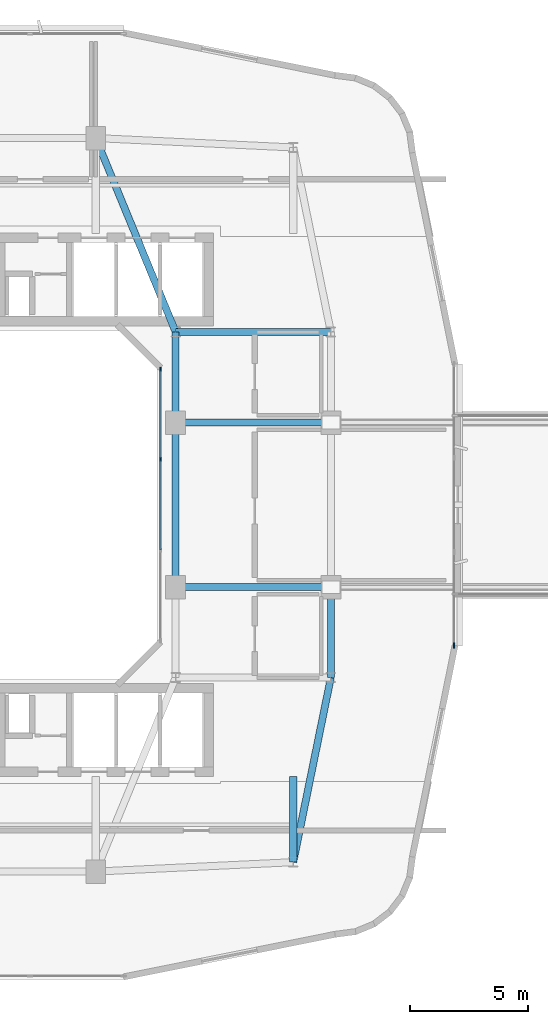
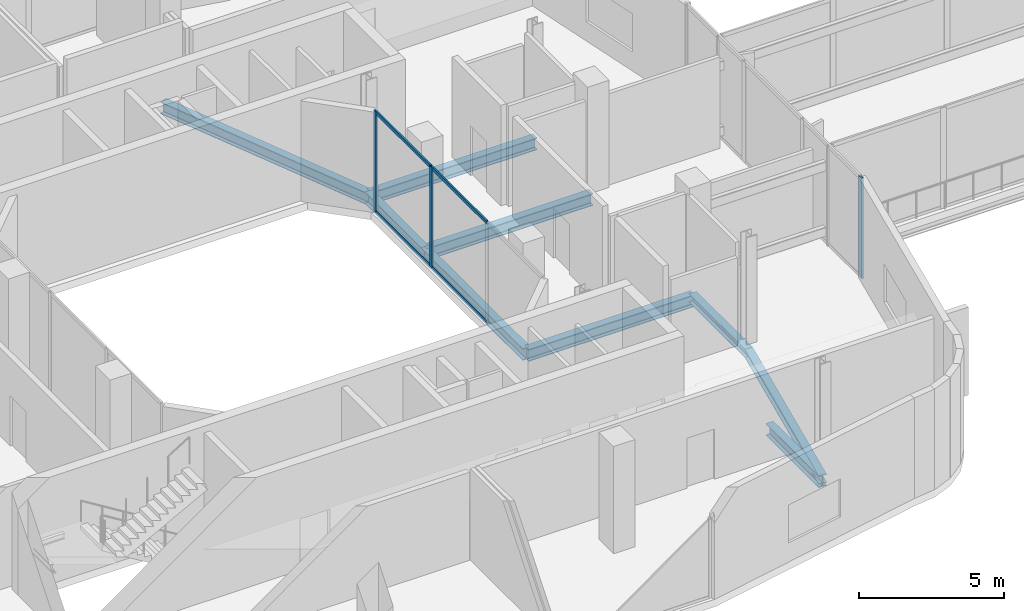
# One storey, part 5 of 24: 9 beams, 7 members, 2 elements without a shape of their own.
"""IFC4 building model written with IfcOpenShell, lengths in metres."""

from ifc_helpers import new_model, si_unit, derived_unit, direction, frame, origin, origin_2d, place, context, subcontext, project, spatial, rectangle, i_section, extrude, material, layer, layer_set, material_profile, profile_set, type_object, element, aggregate, save


model = new_model("IFC4")

# Units and contexts
model_context = context("Model", 3, precision=1e-05, world=origin(), true_north=direction((0.0, 1.0)))
body_context = subcontext(model_context, "Body", "Model", "MODEL_VIEW")
ifc_project = project(units=[si_unit("LENGTHUNIT", "METRE"), si_unit("AREAUNIT", "SQUARE_METRE"), si_unit("VOLUMEUNIT", "CUBIC_METRE"), si_unit("PLANEANGLEUNIT", "RADIAN"), si_unit("MASSUNIT", "GRAM", prefix="KILO"), derived_unit("THERMALTRANSMITTANCEUNIT", [(si_unit("POWERUNIT", "WATT"), 1), (si_unit("LENGTHUNIT", "METRE"), -2), (si_unit("THERMODYNAMICTEMPERATUREUNIT", "KELVIN"), -1)])], contexts=[model_context])

# Site, building, storey
site_placement = place(None, origin())
site = spatial("IfcSite", under=ifc_project, at=site_placement, CompositionType="ELEMENT")
building_placement = place(site_placement, origin())
building = spatial("IfcBuilding", under=site, at=building_placement, Name="Kivonza Crest Hotel", CompositionType="ELEMENT")
storey_placement = place(building_placement, frame((0.0, 0.0, 119.5)))
storey = spatial("IfcBuildingStorey", under=building, at=storey_placement, Name="L32", CompositionType="ELEMENT", Elevation=119.5)

# Beams
ifc_material_1 = material(Name="Steel S355", Category="steel")
ifc_material_profile_1 = material_profile(ifc_material_1, i_section(OverallWidth=0.300048828125, OverallDepth=0.360107421875, WebThickness=0.012451171875, FlangeThickness=0.0224609375, FilletRadius=0.027099609375, at=origin_2d()), Name="HEB 360")
ifc_profile_set_1 = profile_set([ifc_material_profile_1], Name="Steel S355")
beam_type_1 = type_object("IfcBeamType", Name="BM-HEB360", PredefinedType="SPANDREL", material=ifc_profile_set_1)
beam_1_placement = place(storey_placement, frame((34.199951171875, 9.800048828125, -0.5), z_axis=(0.199730733965, 0.979850822273, 0.0), x_axis=(-0.979850822273, 0.199730733965, 0.0)))
element("IfcBeam", 1, at=beam_1_placement, inside=storey, type_object=beam_type_1, Name="Tower T1 L32 perimeter spandrel SE-PSE", PredefinedType="SPANDREL", context=body_context, shape_type="SweptSolid", body=[
    extrude(i_section(OverallWidth=0.300048828125, OverallDepth=0.360107421875, WebThickness=0.012451171875, FlangeThickness=0.0224609375, FilletRadius=0.027099609375, at=origin_2d()), origin(), (0.0, 0.0, 1.0), 8.01123046875),
])
beam_2_placement = place(storey_placement, frame((35.800048828125, 17.64990234375, -0.5), z_axis=(0.0, 1.0, 0.0), x_axis=(-1.0, 0.0, 0.0)))
element("IfcBeam", 2, at=beam_2_placement, inside=storey, type_object=beam_type_1, Name="Tower T1 L32 perimeter spandrel PSE-E1", PredefinedType="SPANDREL", context=body_context, shape_type="SweptSolid", body=[
    extrude(i_section(OverallWidth=0.300048828125, OverallDepth=0.360107421875, WebThickness=0.012451171875, FlangeThickness=0.0224609375, FilletRadius=0.027099609375, at=origin_2d()), origin(), (0.0, 0.0, 1.0), 3.85009765625),
])
ifc_material_profile_2 = material_profile(ifc_material_1, i_section(OverallWidth=0.300048828125, OverallDepth=0.5, WebThickness=0.014404296875, FlangeThickness=0.028076171875, FilletRadius=0.027099609375, at=origin_2d()), Name="HEB 500")
ifc_profile_set_2 = profile_set([ifc_material_profile_2], Name="Steel S355")
beam_type_2 = type_object("IfcBeamType", Name="BM-HEB500", PredefinedType="BEAM", material=ifc_profile_set_2)
beam_3_placement = place(storey_placement, frame((25.800048828125, 40.60009765625, -0.570068359375), z_axis=(0.381022260404, -0.924565864109, 0.0), x_axis=(0.924565864109, 0.381022260404, 0.0)))
element("IfcBeam", 3, at=beam_3_placement, inside=storey, type_object=beam_type_2, Name="Tower T1 L32 primary girder N1-TNE", PredefinedType="BEAM", context=body_context, shape_type="SweptSolid", body=[
    extrude(i_section(OverallWidth=0.300048828125, OverallDepth=0.5, WebThickness=0.014404296875, FlangeThickness=0.028076171875, FilletRadius=0.027099609375, at=origin_2d()), origin(), (0.0, 0.0, 1.0), 8.923095703125),
])
beam_4_placement = place(storey_placement, frame((29.199951171875, 32.35009765625, -0.570068359375), z_axis=(1.0, 0.0, 0.0), x_axis=(0.0, 1.0, 0.0)))
element("IfcBeam", 4, at=beam_4_placement, inside=storey, type_object=beam_type_2, Name="Tower T1 L32 primary girder TNE-PNE", PredefinedType="BEAM", context=body_context, shape_type="SweptSolid", body=[
    extrude(i_section(OverallWidth=0.300048828125, OverallDepth=0.5, WebThickness=0.014404296875, FlangeThickness=0.028076171875, FilletRadius=0.027099609375, at=origin_2d()), origin(), (0.0, 0.0, 1.0), 6.60009765625),
])
beam_5_placement = place(storey_placement, frame((29.199951171875, 21.5, -0.570068359375), z_axis=(0.0, 1.0, 0.0), x_axis=(-1.0, 0.0, 0.0)))
element("IfcBeam", 5, at=beam_5_placement, inside=storey, type_object=beam_type_2, Name="Tower T1 L32 primary girder WR1-WR2", PredefinedType="BEAM", context=body_context, shape_type="SweptSolid", body=[
    extrude(i_section(OverallWidth=0.300048828125, OverallDepth=0.5, WebThickness=0.014404296875, FlangeThickness=0.028076171875, FilletRadius=0.027099609375, at=origin_2d()), origin(), (0.0, 0.0, 1.0), 7.0),
])
beam_6_placement = place(storey_placement, frame((29.199951171875, 28.5, -0.570068359375), z_axis=(0.0, 1.0, 0.0), x_axis=(-1.0, 0.0, 0.0)))
element("IfcBeam", 6, at=beam_6_placement, inside=storey, type_object=beam_type_2, Name="Tower T1 L32 primary girder WR2-TNE", PredefinedType="BEAM", context=body_context, shape_type="SweptSolid", body=[
    extrude(i_section(OverallWidth=0.300048828125, OverallDepth=0.5, WebThickness=0.014404296875, FlangeThickness=0.028076171875, FilletRadius=0.027099609375, at=origin_2d()), origin(), (0.0, 0.0, 1.0), 3.85009765625),
])
for number, where, z_axis, x_axis, name in (
    (7, (29.199951171875, 21.5, -0.570068359375), (1.0, 0.0, 0.0), (0.0, 1.0, 0.0), "Tower T1 L32 primary girder WR1-E1"),
    (8, (29.199951171875, 28.5, -0.570068359375), (1.0, 0.0, 0.0), (0.0, 1.0, 0.0), "Tower T1 L32 primary girder WR2-E2"),
):
    element("IfcBeam", number, at=place(storey_placement, frame(where, z_axis=z_axis, x_axis=x_axis)), inside=storey, type_object=beam_type_2, Name=name, PredefinedType="BEAM", context=body_context, shape_type="SweptSolid", body=[
        extrude(i_section(OverallWidth=0.300048828125, OverallDepth=0.5, WebThickness=0.014404296875, FlangeThickness=0.028076171875, FilletRadius=0.027099609375, at=origin_2d()), origin(), (0.0, 0.0, 1.0), 6.60009765625),
    ])
beam_7_placement = place(storey_placement, frame((34.199951171875, 9.800048828125, -0.570068359375), z_axis=(0.0, 1.0, 0.0), x_axis=(-1.0, 0.0, 0.0)))
element("IfcBeam", 9, at=beam_7_placement, inside=storey, type_object=beam_type_2, Name="Tower T1 L32 radial core girder RSE", PredefinedType="BEAM", context=body_context, shape_type="SweptSolid", body=[
    extrude(i_section(OverallWidth=0.300048828125, OverallDepth=0.5, WebThickness=0.014404296875, FlangeThickness=0.028076171875, FilletRadius=0.027099609375, at=origin_2d()), origin(), (0.0, 0.0, 1.0), 3.64990234375),
])

# Curtain wall, members
ifc_material_2 = material(Name="Anodised bronze aluminium and low-E double glazing", Category="aluminium")
ifc_layer_1 = layer(ifc_material_2, 0.159912109375)
ifc_layer_set_1 = layer_set([ifc_layer_1], Name="Anodised bronze aluminium and low-E double glazing")
curtain_wall_type_1 = type_object("IfcCurtainWallType", Name="CW-SYS-5", PredefinedType="NOTDEFINED", material=ifc_layer_set_1)
curtain_wall_1_placement = place(storey_placement, origin())
curtain_wall_1 = element("IfcCurtainWall", 10, at=curtain_wall_1_placement, inside=storey, type_object=curtain_wall_type_1, Name="L32 unitised curtain wall CW-WELL-T1-L32-3", PredefinedType="NOTDEFINED")
ifc_material_3 = material(Name="Anodised bronze aluminium", Category="aluminium")
ifc_material_profile_3 = material_profile(ifc_material_3, rectangle(XDim=0.06494140625, YDim=0.179931640625, at=origin_2d()), Name="CW-M 65x180")
ifc_profile_set_3 = profile_set([ifc_material_profile_3], Name="Anodised bronze aluminium")
member_type_1 = type_object("IfcMemberType", Name="CW-MUL-65x180", PredefinedType="MULLION", material=ifc_profile_set_3)
member_1_placement = place(storey_placement, frame((28.56005859375, 26.933349609375, 0.0), z_axis=(0.0, 0.0, 1.0), x_axis=(-1.0, 0.0, 0.0)))
member_1 = element("IfcMember", 11, at=member_1_placement, type_object=member_type_1, Name="CW-5 mullion 3", PredefinedType="MULLION", context=body_context, shape_type="SweptSolid", body=[
    extrude(rectangle(XDim=0.06494140625, YDim=0.179931640625, at=origin_2d()), origin(), (0.0, 0.0, 1.0), 4.219970703125),
])
member_2_placement = place(storey_placement, frame((28.56005859375, 30.767578125, 0.0), z_axis=(0.0, 0.0, 1.0), x_axis=(-1.0, 0.0, 0.0)))
member_2 = element("IfcMember", 12, at=member_2_placement, type_object=member_type_1, Name="CW-5 mullion 4", PredefinedType="MULLION", context=body_context, shape_type="SweptSolid", body=[
    extrude(rectangle(XDim=0.06494140625, YDim=0.179931640625, at=origin_2d()), origin(), (0.0, 0.0, 1.0), 4.219970703125),
])

# Curtain wall, member
ifc_layer_2 = layer(ifc_material_2, 0.179931640625)
ifc_layer_set_2 = layer_set([ifc_layer_2], Name="Anodised bronze aluminium and low-E double glazing")
curtain_wall_type_2 = type_object("IfcCurtainWallType", Name="CW-SYS-3", PredefinedType="NOTDEFINED", material=ifc_layer_set_2)
curtain_wall_2_placement = place(storey_placement, origin())
curtain_wall_2 = element("IfcCurtainWall", 13, at=curtain_wall_2_placement, inside=storey, type_object=curtain_wall_type_2, Name="L32 unitised curtain wall CW-T1-L32-17", PredefinedType="NOTDEFINED")
ifc_material_profile_4 = material_profile(ifc_material_3, rectangle(XDim=0.074951171875, YDim=0.219970703125, at=origin_2d()), Name="CW-M 75x220")
ifc_profile_set_4 = profile_set([ifc_material_profile_4], Name="Anodised bronze aluminium")
member_type_2 = type_object("IfcMemberType", Name="CW-MUL-75x220", PredefinedType="MULLION", material=ifc_profile_set_4)
member_3_placement = place(storey_placement, frame((41.0400390625, 19.017578125, 0.0), z_axis=(0.0, 0.0, 1.0), x_axis=(-1.0, 0.0, 0.0)))
member_3 = element("IfcMember", 14, at=member_3_placement, type_object=member_type_2, Name="CW-3 mullion 1", PredefinedType="MULLION", context=body_context, shape_type="SweptSolid", body=[
    extrude(rectangle(XDim=0.074951171875, YDim=0.219970703125, at=origin_2d()), origin(), (0.0, 0.0, 1.0), 4.219970703125),
])
aggregate(curtain_wall_2, [member_3])

# Member
ifc_material_profile_5 = material_profile(ifc_material_3, rectangle(XDim=0.06494140625, YDim=0.139892578125, at=origin_2d()), Name="CW-T 65x140")
ifc_profile_set_5 = profile_set([ifc_material_profile_5], Name="Anodised bronze aluminium")
member_type_3 = type_object("IfcMemberType", Name="CW-TRN-65x140", PredefinedType="USERDEFINED", material=ifc_profile_set_5)
member_4_placement = place(storey_placement, frame((28.56005859375, 23.09912109375, 0.032470703125), z_axis=(0.0, 1.0, 0.0), x_axis=(-1.0, 0.0, 0.0)))
member_4 = element("IfcMember", 15, at=member_4_placement, type_object=member_type_3, Name="CW-5 transom 2.1", ObjectType="TRANSOM", PredefinedType="USERDEFINED", context=body_context, shape_type="SweptSolid", body=[
    extrude(rectangle(XDim=0.06494140625, YDim=0.139892578125, at=origin_2d()), origin(), (0.0, 0.0, 1.0), 3.8017578125),
])

member_5_placement = place(storey_placement, frame((28.56005859375, 23.09912109375, 4.1875), z_axis=(0.0, 1.0, 0.0), x_axis=(-1.0, 0.0, 0.0)))
member_5 = element("IfcMember", 16, at=member_5_placement, type_object=member_type_3, Name="CW-5 transom 2.2", ObjectType="TRANSOM", PredefinedType="USERDEFINED", context=body_context, shape_type="SweptSolid", body=[
    extrude(rectangle(XDim=0.06494140625, YDim=0.139892578125, at=origin_2d()), origin(), (0.0, 0.0, 1.0), 3.8017578125),
])

member_6_placement = place(storey_placement, frame((28.56005859375, 26.9658203125, 0.032470703125), z_axis=(0.0, 1.0, 0.0), x_axis=(-1.0, 0.0, 0.0)))
member_6 = element("IfcMember", 17, at=member_6_placement, type_object=member_type_3, Name="CW-5 transom 3.1", ObjectType="TRANSOM", PredefinedType="USERDEFINED", context=body_context, shape_type="SweptSolid", body=[
    extrude(rectangle(XDim=0.06494140625, YDim=0.139892578125, at=origin_2d()), origin(), (0.0, 0.0, 1.0), 3.769287109375),
])

member_7_placement = place(storey_placement, frame((28.56005859375, 26.9658203125, 4.1875), z_axis=(0.0, 1.0, 0.0), x_axis=(-1.0, 0.0, 0.0)))
member_7 = element("IfcMember", 18, at=member_7_placement, type_object=member_type_3, Name="CW-5 transom 3.2", ObjectType="TRANSOM", PredefinedType="USERDEFINED", context=body_context, shape_type="SweptSolid", body=[
    extrude(rectangle(XDim=0.06494140625, YDim=0.139892578125, at=origin_2d()), origin(), (0.0, 0.0, 1.0), 3.769287109375),
])

aggregate(curtain_wall_1, [member_1, member_2, member_4, member_5, member_6, member_7])

save(model, "model.ifc")
